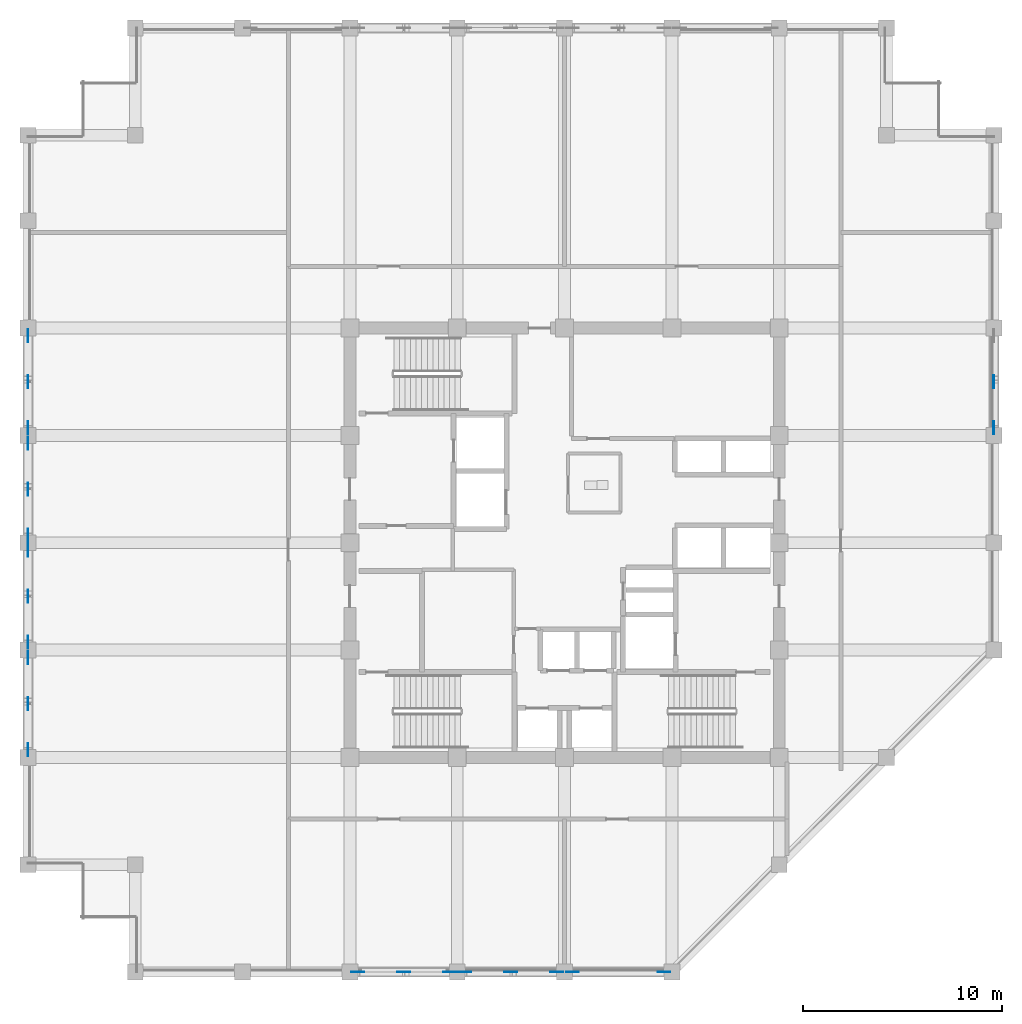
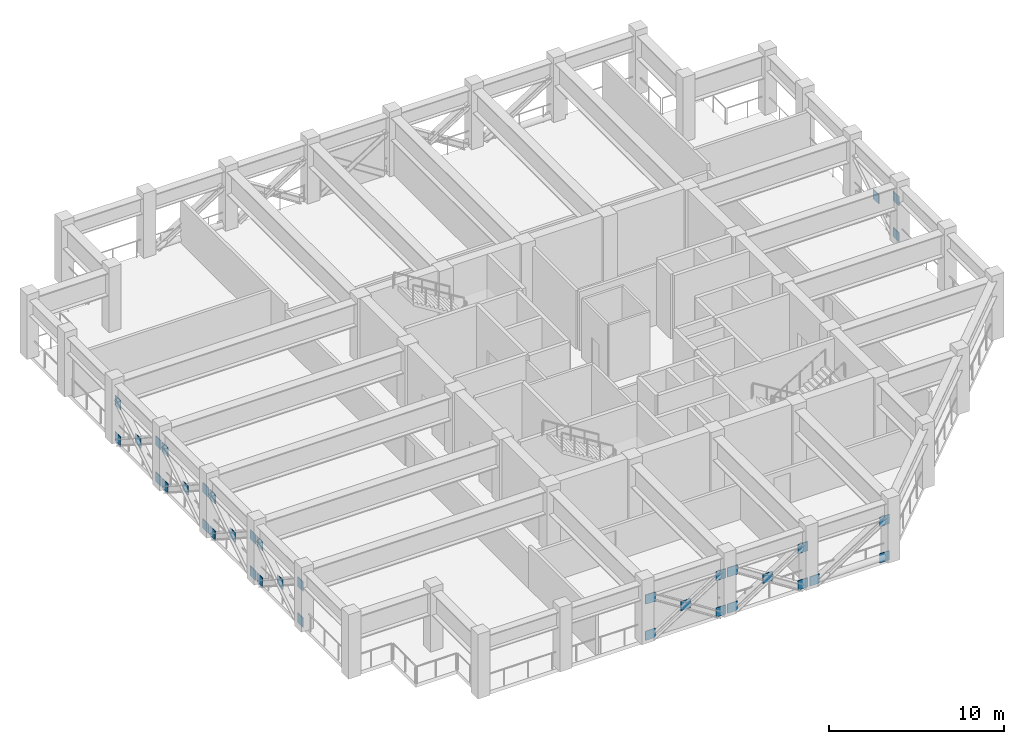
# One storey, part 3 of 11: 36 plates.
"""IFC4 building model written with IfcOpenShell, lengths in metres."""

from ifc_helpers import new_model, si_unit, direction, frame, origin, origin_2d, place, context, subcontext, project, spatial, rectangle, extrude, material, layer, layer_set, type_object, element, save


model = new_model("IFC4")

# Units and contexts
model_context = context("Model", 3, precision=1e-05, world=origin(), true_north=direction((0.0, 1.0)))
body_context = subcontext(model_context, "Body", "Model", "MODEL_VIEW")
ifc_project = project(units=[si_unit("LENGTHUNIT", "METRE"), si_unit("AREAUNIT", "SQUARE_METRE"), si_unit("VOLUMEUNIT", "CUBIC_METRE"), si_unit("PLANEANGLEUNIT", "RADIAN"), si_unit("MASSUNIT", "GRAM", prefix="KILO")], contexts=[model_context])

# Site, building, storey
site_placement = place(None, origin())
site = spatial("IfcSite", under=ifc_project, at=site_placement, CompositionType="ELEMENT")
building_placement = place(site_placement, origin())
building = spatial("IfcBuilding", under=site, at=building_placement, Name="Surkhivell Harbour Commons", CompositionType="ELEMENT")
storey_placement = place(building_placement, frame((0.0, 0.0, 254.25)))
storey = spatial("IfcBuildingStorey", under=building, at=storey_placement, Name="L66", CompositionType="ELEMENT", Elevation=254.25)

# Plates
ifc_material = material(Name="Steel S460", Category="steel")
ifc_layer = layer(ifc_material, 0.044921875)
ifc_layer_set = layer_set([ifc_layer], Name="Steel S460")
plate_type = type_object("IfcPlateType", Name="PLT-GUS-650", PredefinedType="USERDEFINED", material=ifc_layer_set)
for number, where, z_axis, x_axis, name in (
    (1, (-27.0, -5.014892578125, -0.08935546875), (0.0, 0.0, 1.0), (0.0, 1.0, 0.0), "L66 Belt-Truss Diagonal BT- Corner Gusset BW1-1"),
    (2, (-27.0, -0.385009765625, -0.08935546875), (0.0, 0.0, 1.0), (0.0, 1.0, 0.0), "L66 Belt-Truss Diagonal BT- Corner Gusset BW1-2"),
    (3, (-27.0, -5.014892578125, 2.431640625), (0.0, 0.0, 1.0), (0.0, 1.0, 0.0), "L66 Belt-Truss Diagonal BT- Corner Gusset BW1-3"),
    (4, (-27.0, -0.385009765625, 2.431640625), (0.0, 0.0, 1.0), (0.0, 1.0, 0.0), "L66 Belt-Truss Diagonal BT- Corner Gusset BW1-4"),
    (5, (-27.0, -2.699951171875, 1.171142578125), (0.0, 0.0, 1.0), (0.0, 1.0, 0.0), "L66 Belt-Truss Diagonal BT- Central Crossing Gusset BW1"),
    (6, (-27.0, 0.385009765625, -0.08935546875), (0.0, 0.0, 1.0), (0.0, 1.0, 0.0), "L66 Belt-Truss Diagonal BT- Corner Gusset BW2-1"),
    (7, (-27.0, 5.014892578125, -0.08935546875), (0.0, 0.0, 1.0), (0.0, 1.0, 0.0), "L66 Belt-Truss Diagonal BT- Corner Gusset BW2-2"),
    (8, (-27.0, 0.385009765625, 2.431640625), (0.0, 0.0, 1.0), (0.0, 1.0, 0.0), "L66 Belt-Truss Diagonal BT- Corner Gusset BW2-3"),
    (9, (-27.0, 5.014892578125, 2.431640625), (0.0, 0.0, 1.0), (0.0, 1.0, 0.0), "L66 Belt-Truss Diagonal BT- Corner Gusset BW2-4"),
    (10, (-27.0, 2.699951171875, 1.171142578125), (0.0, 0.0, 1.0), (0.0, 1.0, 0.0), "L66 Belt-Truss Diagonal BT- Central Crossing Gusset BW2"),
    (11, (-10.4150390625, -21.60009765625, -0.08935546875), (0.0, 0.0, 1.0), (1.0, 0.0, 0.0), "L66 Belt-Truss Diagonal BT- Corner Gusset BS1-1"),
    (12, (-5.784912109375, -21.60009765625, -0.08935546875), (0.0, 0.0, 1.0), (1.0, 0.0, 0.0), "L66 Belt-Truss Diagonal BT- Corner Gusset BS1-2"),
    (13, (-10.4150390625, -21.60009765625, 2.431640625), (0.0, 0.0, 1.0), (1.0, 0.0, 0.0), "L66 Belt-Truss Diagonal BT- Corner Gusset BS1-3"),
    (14, (-5.784912109375, -21.60009765625, 2.431640625), (0.0, 0.0, 1.0), (1.0, 0.0, 0.0), "L66 Belt-Truss Diagonal BT- Corner Gusset BS1-4"),
    (15, (-8.10009765625, -21.60009765625, 1.171142578125), (0.0, 0.0, 1.0), (1.0, 0.0, 0.0), "L66 Belt-Truss Diagonal BT- Central Crossing Gusset BS1"),
    (16, (-5.014892578125, -21.60009765625, -0.08935546875), (0.0, 0.0, 1.0), (1.0, 0.0, 0.0), "L66 Belt-Truss Diagonal BT- Corner Gusset BS2-1"),
    (17, (-0.385009765625, -21.60009765625, -0.08935546875), (0.0, 0.0, 1.0), (1.0, 0.0, 0.0), "L66 Belt-Truss Diagonal BT- Corner Gusset BS2-2"),
    (18, (-5.014892578125, -21.60009765625, 2.431640625), (0.0, 0.0, 1.0), (1.0, 0.0, 0.0), "L66 Belt-Truss Diagonal BT- Corner Gusset BS2-3"),
    (19, (-0.385009765625, -21.60009765625, 2.431640625), (0.0, 0.0, 1.0), (1.0, 0.0, 0.0), "L66 Belt-Truss Diagonal BT- Corner Gusset BS2-4"),
    (20, (-2.699951171875, -21.60009765625, 1.171142578125), (0.0, 0.0, 1.0), (1.0, 0.0, 0.0), "L66 Belt-Truss Diagonal BT- Central Crossing Gusset BS2"),
    (21, (21.60009765625, 5.784912109375, -0.08935546875), (0.0, 0.0, 1.0), (0.0, 1.0, 0.0), "L66 Belt-Truss Diagonal BT- Corner Gusset BE1-1"),
    (22, (21.60009765625, 5.784912109375, 2.431640625), (0.0, 0.0, 1.0), (0.0, 1.0, 0.0), "L66 Belt-Truss Diagonal BT- Corner Gusset BE1-3"),
    (23, (21.60009765625, 8.10009765625, 1.171142578125), (0.0, 0.0, 1.0), (0.0, 1.0, 0.0), "L66 Belt-Truss Diagonal BT- Central Crossing Gusset BE1"),
    (24, (-27.0, -10.4150390625, -0.08935546875), (0.0, 0.0, 1.0), (0.0, 1.0, 0.0), "L66 Belt-Truss Diagonal BT- Corner Gusset BW3-1"),
    (25, (-27.0, -5.784912109375, -0.08935546875), (0.0, 0.0, 1.0), (0.0, 1.0, 0.0), "L66 Belt-Truss Diagonal BT- Corner Gusset BW3-2"),
    (26, (-27.0, -10.4150390625, 2.431640625), (0.0, 0.0, 1.0), (0.0, 1.0, 0.0), "L66 Belt-Truss Diagonal BT- Corner Gusset BW3-3"),
    (27, (-27.0, -5.784912109375, 2.431640625), (0.0, 0.0, 1.0), (0.0, 1.0, 0.0), "L66 Belt-Truss Diagonal BT- Corner Gusset BW3-4"),
    (28, (-27.0, -8.10009765625, 1.171142578125), (0.0, 0.0, 1.0), (0.0, 1.0, 0.0), "L66 Belt-Truss Diagonal BT- Central Crossing Gusset BW3"),
    (29, (-27.0, 5.784912109375, -0.08935546875), (0.0, 0.0, 1.0), (0.0, 1.0, 0.0), "L66 Belt-Truss Diagonal BT- Corner Gusset BW4-1"),
    (30, (-27.0, 10.4150390625, -0.08935546875), (0.0, 0.0, 1.0), (0.0, 1.0, 0.0), "L66 Belt-Truss Diagonal BT- Corner Gusset BW4-2"),
    (31, (-27.0, 5.784912109375, 2.431640625), (0.0, 0.0, 1.0), (0.0, 1.0, 0.0), "L66 Belt-Truss Diagonal BT- Corner Gusset BW4-3"),
    (32, (-27.0, 10.4150390625, 2.431640625), (0.0, 0.0, 1.0), (0.0, 1.0, 0.0), "L66 Belt-Truss Diagonal BT- Corner Gusset BW4-4"),
    (33, (-27.0, 8.10009765625, 1.171142578125), (0.0, 0.0, 1.0), (0.0, 1.0, 0.0), "L66 Belt-Truss Diagonal BT- Central Crossing Gusset BW4"),
    (34, (0.39794921875, -21.60009765625, -0.094970703125), (0.0, 0.0, 1.0), (1.0, 0.0, 0.0), "L66 Outrigger Node Gusset Plate GP-06-1"),
    (35, (5.001953125, -21.60009765625, -0.094970703125), (0.0, 0.0, 1.0), (1.0, 0.0, 0.0), "L66 Outrigger Node Gusset Plate GP-06-2"),
    (36, (5.001953125, -21.60009765625, 2.441162109375), (0.0, 0.0, 1.0), (1.0, 0.0, 0.0), "L66 Outrigger Top Gusset Plate GP-06-3"),
):
    element("IfcPlate", number, at=place(storey_placement, frame(where, z_axis=z_axis, x_axis=x_axis)), inside=storey, type_object=plate_type, Name=name, ObjectType="GUSSET_PLATE", PredefinedType="USERDEFINED", context=body_context, shape_type="SweptSolid", body=[
        extrude(rectangle(XDim=0.64990234375, YDim=0.044921875, at=origin_2d()), origin(), (0.0, 0.0, 1.0), 0.64990234375),
    ])

save(model, "model.ifc")
